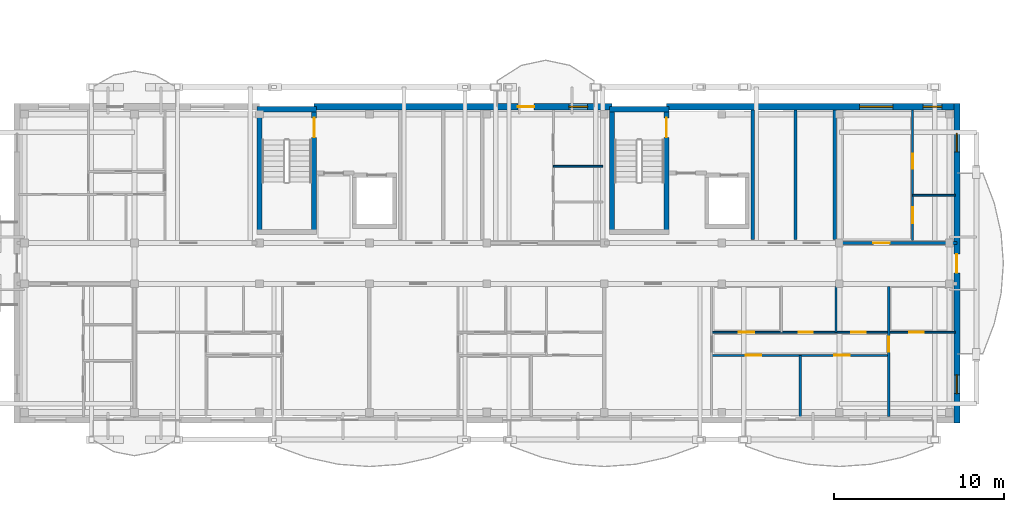
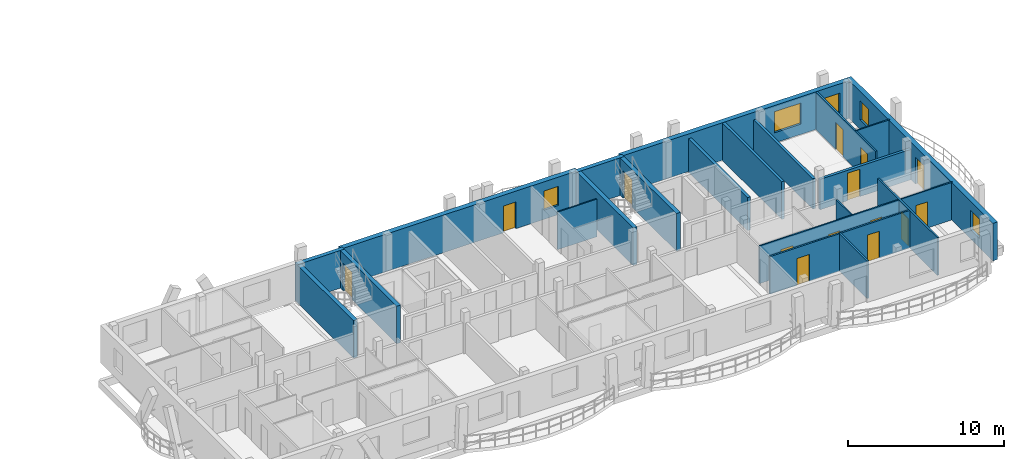
# One storey, part 33 of 52: 21 walls, 14 doors, 5 windows, 19 openings.
"""IFC4 building model written with IfcOpenShell, lengths in metres."""

from ifc_helpers import new_model, si_unit, direction, frame, frame_2d, origin, origin_with_axes, place, context, subcontext, project, spatial, rectangle, extrude, material, layer, layer_set, type_object, element, fill, save


model = new_model("IFC4")

# Units and contexts
model_context = context("Model", 3, precision=1e-05, world=origin(), true_north=direction((0.0, 1.0)))
body_context = subcontext(model_context, "Body", "Model", "MODEL_VIEW")
ifc_project = project(units=[si_unit("LENGTHUNIT", "METRE"), si_unit("AREAUNIT", "SQUARE_METRE"), si_unit("VOLUMEUNIT", "CUBIC_METRE"), si_unit("PLANEANGLEUNIT", "RADIAN"), si_unit("MASSUNIT", "GRAM", prefix="KILO")], contexts=[model_context])

# Site, building, storey
site_placement = place(None, origin())
site = spatial("IfcSite", under=ifc_project, at=site_placement, CompositionType="ELEMENT")
building_placement = place(site_placement, origin())
building = spatial("IfcBuilding", under=site, at=building_placement, Name="Zavelmont Quarter", CompositionType="ELEMENT")
storey_placement = place(building_placement, frame((0.0, 0.0, 14.39990234375)))
storey = spatial("IfcBuildingStorey", under=building, at=storey_placement, Name="L04", CompositionType="ELEMENT", Elevation=14.39990234375)

# Wall, openings, door, window
ifc_material_1 = material(Name="Natural Belgian limestone", Category="masonry")
ifc_layer_1 = layer(ifc_material_1, 0.360107421875)
ifc_layer_set_1 = layer_set([ifc_layer_1], Name="Natural Belgian limestone")
wall_type_1 = type_object("IfcWallType", Name="EW02", PredefinedType="STANDARD", material=ifc_layer_set_1)
wall_1_placement = place(storey_placement, frame((130.25, 18.39990234375, 0.0), z_axis=(0.0, 0.0, 1.0), x_axis=(1.0, 0.0, 0.0)))
wall_1 = element("IfcWall", 1, at=wall_1_placement, inside=storey, type_object=wall_type_1, Name="L04 exterior limestone wall EW02", PredefinedType="STANDARD", context=body_context, shape_type="SweptSolid", body=[
    extrude(rectangle(XDim=17.5, YDim=0.360107421875, at=frame_2d((8.75, 0.0))), origin(), (0.0, 0.0, 1.0), 2.940185546875),
])
opening_1_placement = place(wall_1_placement, frame((11.969970703125, 0.0, 0.0)))
opening_1 = element("IfcOpeningElement", 2, at=opening_1_placement, cuts=wall_1, Name="Opening DR04", PredefinedType="OPENING", context=body_context, shape_type="SweptSolid", body=[
    extrude(rectangle(XDim=0.949951171875, YDim=2.10009765625, at=frame_2d((0.47509765625, 1.050048828125))), frame((0.0, 0.19189453125, 0.0), z_axis=(0.0, -1.0, 0.0), x_axis=(1.0, 0.0, 0.0)), (0.0, 0.0, 1.0), 0.384033203125),
])
opening_2_placement = place(wall_1_placement, frame((14.969970703125, 0.0, 0.719970703125)))
opening_2 = element("IfcOpeningElement", 3, at=opening_2_placement, cuts=wall_1, Name="Opening WN09", PredefinedType="OPENING", context=body_context, shape_type="SweptSolid", body=[
    extrude(rectangle(XDim=1.10009765625, YDim=1.5, at=frame_2d((0.550048828125, 0.75))), frame((0.0, 0.19189453125, 0.0), z_axis=(0.0, -1.0, 0.0), x_axis=(1.0, 0.0, 0.0)), (0.0, 0.0, 1.0), 0.384033203125),
])
ifc_material_2 = material(Name="Thermally broken aluminium and double safety glass", Category="aluminium")
door_type_1 = type_object("IfcDoorType", Name="DR04", OperationType="NOTDEFINED", PredefinedType="DOOR", material=ifc_material_2)
door_1_placement = place(opening_1_placement, frame((0.949951171875, 0.0, 0.0), z_axis=(0.0, 0.0, 1.0), x_axis=(-1.0, 0.0, 0.0)))
door_1 = element("IfcDoor", 4, at=door_1_placement, inside=storey, type_object=door_type_1, Name="Block D L04 glazed balcony door", OperationType="SINGLE_SWING_LEFT", OverallHeight=2.10009765625, OverallWidth=0.949951171875, PredefinedType="DOOR", context=body_context, shape_type="SweptSolid", body=[
    extrude(rectangle(XDim=0.949951171875, YDim=2.10009765625, at=frame_2d((0.47509765625, 1.050048828125))), frame((0.0, 0.02490234375, 0.0), z_axis=(0.0, -1.0, 0.0), x_axis=(1.0, 0.0, 0.0)), (0.0, 0.0, 1.0), 0.050048828125),
])
fill(opening_1, door_1)
ifc_material_3 = material(Name="Double low-E insulated glazing in thermally broken aluminium frame", Category="aluminium")
window_type_1 = type_object("IfcWindowType", Name="WN09", PartitioningType="SINGLE_PANEL", PredefinedType="WINDOW", material=ifc_material_3)
window_1_placement = place(opening_2_placement, origin_with_axes())
window_1 = element("IfcWindow", 5, at=window_1_placement, inside=storey, type_object=window_type_1, Name="L04 window WN09", OverallHeight=1.5, OverallWidth=1.10009765625, PartitioningType="SINGLE_PANEL", PredefinedType="WINDOW", context=body_context, shape_type="SweptSolid", body=[
    extrude(rectangle(XDim=1.10009765625, YDim=1.5, at=frame_2d((0.550048828125, 0.75))), frame((0.0, 0.030029296875, 0.0), z_axis=(0.0, -1.0, 0.0), x_axis=(1.0, 0.0, 0.0)), (0.0, 0.0, 1.0), 0.06005859375),
])
fill(opening_2, window_1)

# Wall, openings, windows
wall_2_placement = place(storey_placement, frame((150.949951171875, 18.39990234375, 0.0), z_axis=(0.0, 0.0, 1.0), x_axis=(1.0, 0.0, 0.0)))
wall_2 = element("IfcWall", 6, at=wall_2_placement, inside=storey, type_object=wall_type_1, Name="L04 exterior limestone wall EW02", PredefinedType="STANDARD", context=body_context, shape_type="SweptSolid", body=[
    extrude(rectangle(XDim=16.880126953125, YDim=0.360107421875, at=frame_2d((8.43994140625, 0.0))), origin(), (0.0, 0.0, 1.0), 2.940185546875),
])
opening_3_placement = place(wall_2_placement, frame((11.344970703125, 0.0, 0.800048828125)))
opening_3 = element("IfcOpeningElement", 7, at=opening_3_placement, cuts=wall_2, Name="Opening WN24", PredefinedType="OPENING", context=body_context, shape_type="SweptSolid", body=[
    extrude(rectangle(XDim=1.949951171875, YDim=1.64990234375, at=frame_2d((0.97509765625, 0.824951171875))), frame((0.0, 0.19189453125, 0.0), z_axis=(0.0, -1.0, 0.0), x_axis=(1.0, 0.0, 0.0)), (0.0, 0.0, 1.0), 0.384033203125),
])
opening_4_placement = place(wall_2_placement, frame((15.070068359375, 0.0, 0.719970703125)))
opening_4 = element("IfcOpeningElement", 8, at=opening_4_placement, cuts=wall_2, Name="Opening WN09", PredefinedType="OPENING", context=body_context, shape_type="SweptSolid", body=[
    extrude(rectangle(XDim=1.10009765625, YDim=1.5, at=frame_2d((0.550048828125, 0.75))), frame((0.0, 0.19189453125, 0.0), z_axis=(0.0, -1.0, 0.0), x_axis=(1.0, 0.0, 0.0)), (0.0, 0.0, 1.0), 0.384033203125),
])
window_2_placement = place(opening_4_placement, origin_with_axes())
window_2 = element("IfcWindow", 9, at=window_2_placement, inside=storey, type_object=window_type_1, Name="L04 window WN09", OverallHeight=1.5, OverallWidth=1.10009765625, PartitioningType="SINGLE_PANEL", PredefinedType="WINDOW", context=body_context, shape_type="SweptSolid", body=[
    extrude(rectangle(XDim=1.10009765625, YDim=1.5, at=frame_2d((0.550048828125, 0.75))), frame((0.0, 0.030029296875, 0.0), z_axis=(0.0, -1.0, 0.0), x_axis=(1.0, 0.0, 0.0)), (0.0, 0.0, 1.0), 0.06005859375),
])
fill(opening_4, window_2)
window_type_2 = type_object("IfcWindowType", Name="WN24", PartitioningType="SINGLE_PANEL", PredefinedType="WINDOW", material=ifc_material_3)
window_3_placement = place(opening_3_placement, origin_with_axes())
window_3 = element("IfcWindow", 10, at=window_3_placement, inside=storey, type_object=window_type_2, Name="L04 window WN24", OverallHeight=1.64990234375, OverallWidth=1.949951171875, PartitioningType="SINGLE_PANEL", PredefinedType="WINDOW", context=body_context, shape_type="SweptSolid", body=[
    extrude(rectangle(XDim=1.949951171875, YDim=1.64990234375, at=frame_2d((0.97509765625, 0.824951171875))), frame((0.0, 0.030029296875, 0.0), z_axis=(0.0, -1.0, 0.0), x_axis=(1.0, 0.0, 0.0)), (0.0, 0.0, 1.0), 0.06005859375),
])
fill(opening_3, window_3)

# Wall, openings, door, windows
wall_3_placement = place(storey_placement, frame((168.0, -0.179931640625, 0.0), z_axis=(0.0, 0.0, 1.0), x_axis=(0.0, 1.0, 0.0)))
wall_3 = element("IfcWall", 11, at=wall_3_placement, inside=storey, type_object=wall_type_1, Name="L04 exterior limestone wall EW02", PredefinedType="STANDARD", context=body_context, shape_type="SweptSolid", body=[
    extrude(rectangle(XDim=18.760009765625, YDim=0.360107421875, at=frame_2d((9.3798828125, 0.0))), origin(), (0.0, 0.0, 1.0), 2.940185546875),
])
opening_5_placement = place(wall_3_placement, frame((8.830078125, 0.0, 0.0)))
opening_5 = element("IfcOpeningElement", 12, at=opening_5_placement, cuts=wall_3, Name="Opening DR04B", PredefinedType="OPENING", context=body_context, shape_type="SweptSolid", body=[
    extrude(rectangle(XDim=1.10009765625, YDim=2.10009765625, at=frame_2d((0.550048828125, 1.050048828125))), frame((0.0, 0.19189453125, 0.0), z_axis=(0.0, -1.0, 0.0), x_axis=(1.0, 0.0, 0.0)), (0.0, 0.0, 1.0), 0.384033203125),
])
opening_6_placement = place(wall_3_placement, frame((1.72998046875, 0.0, 0.719970703125)))
opening_6 = element("IfcOpeningElement", 13, at=opening_6_placement, cuts=wall_3, Name="Opening WN09", PredefinedType="OPENING", context=body_context, shape_type="SweptSolid", body=[
    extrude(rectangle(XDim=1.10009765625, YDim=1.5, at=frame_2d((0.550048828125, 0.75))), frame((0.0, 0.19189453125, 0.0), z_axis=(0.0, -1.0, 0.0), x_axis=(1.0, 0.0, 0.0)), (0.0, 0.0, 1.0), 0.384033203125),
])
opening_7_placement = place(wall_3_placement, frame((15.929931640625, 0.0, 0.719970703125)))
opening_7 = element("IfcOpeningElement", 14, at=opening_7_placement, cuts=wall_3, Name="Opening WN09", PredefinedType="OPENING", context=body_context, shape_type="SweptSolid", body=[
    extrude(rectangle(XDim=1.10009765625, YDim=1.5, at=frame_2d((0.550048828125, 0.75))), frame((0.0, 0.19189453125, 0.0), z_axis=(0.0, -1.0, 0.0), x_axis=(1.0, 0.0, 0.0)), (0.0, 0.0, 1.0), 0.384033203125),
])
door_type_2 = type_object("IfcDoorType", Name="DR04B", OperationType="NOTDEFINED", PredefinedType="DOOR", material=ifc_material_2)
door_2_placement = place(opening_5_placement, origin_with_axes())
door_2 = element("IfcDoor", 15, at=door_2_placement, inside=storey, type_object=door_type_2, Name="Block D L04 terrace or vase balcony door", OperationType="SINGLE_SWING_RIGHT", OverallHeight=2.10009765625, OverallWidth=1.10009765625, PredefinedType="DOOR", context=body_context, shape_type="SweptSolid", body=[
    extrude(rectangle(XDim=1.10009765625, YDim=2.10009765625, at=frame_2d((0.550048828125, 1.050048828125))), frame((0.0, 0.02490234375, 0.0), z_axis=(0.0, -1.0, 0.0), x_axis=(1.0, 0.0, 0.0)), (0.0, 0.0, 1.0), 0.050048828125),
])
fill(opening_5, door_2)
window_4_placement = place(opening_6_placement, origin_with_axes())
window_4 = element("IfcWindow", 16, at=window_4_placement, inside=storey, type_object=window_type_1, Name="L04 window WN09", OverallHeight=1.5, OverallWidth=1.10009765625, PartitioningType="SINGLE_PANEL", PredefinedType="WINDOW", context=body_context, shape_type="SweptSolid", body=[
    extrude(rectangle(XDim=1.10009765625, YDim=1.5, at=frame_2d((0.550048828125, 0.75))), frame((0.0, 0.030029296875, 0.0), z_axis=(0.0, -1.0, 0.0), x_axis=(1.0, 0.0, 0.0)), (0.0, 0.0, 1.0), 0.06005859375),
])
fill(opening_6, window_4)
window_5_placement = place(opening_7_placement, origin_with_axes())
window_5 = element("IfcWindow", 17, at=window_5_placement, inside=storey, type_object=window_type_1, Name="L04 window WN09", OverallHeight=1.5, OverallWidth=1.10009765625, PartitioningType="SINGLE_PANEL", PredefinedType="WINDOW", context=body_context, shape_type="SweptSolid", body=[
    extrude(rectangle(XDim=1.10009765625, YDim=1.5, at=frame_2d((0.550048828125, 0.75))), frame((0.0, 0.030029296875, 0.0), z_axis=(0.0, -1.0, 0.0), x_axis=(1.0, 0.0, 0.0)), (0.0, 0.0, 1.0), 0.06005859375),
])
fill(opening_7, window_5)

# Walls
ifc_material_4 = material(Name="Calcium-silicate blockwork and acoustic plaster", Category="masonry")
ifc_layer_2 = layer(ifc_material_4, 0.199951171875)
ifc_layer_set_2 = layer_set([ifc_layer_2], Name="Calcium-silicate blockwork and acoustic plaster")
wall_type_2 = type_object("IfcWallType", Name="IW01", PredefinedType="PARTITIONING", material=ifc_layer_set_2)
wall_4_placement = place(storey_placement, frame((158.52490234375, 10.60009765625, 0.0), z_axis=(0.0, 0.0, 1.0), x_axis=(0.0, 1.0, 0.0)))
element("IfcWall", 18, at=wall_4_placement, inside=storey, type_object=wall_type_2, Name="L04 Service riser divider wall IW01", PredefinedType="PARTITIONING", context=body_context, shape_type="SweptSolid", body=[
    extrude(rectangle(XDim=7.599853515625, YDim=0.199951171875, at=frame_2d((3.7998046875, 0.0))), origin(), (0.0, 0.0, 1.0), 2.940185546875),
])
wall_5_placement = place(storey_placement, frame((160.820068359375, 10.60009765625, 0.0), z_axis=(0.0, 0.0, 1.0), x_axis=(0.0, 1.0, 0.0)))
element("IfcWall", 19, at=wall_5_placement, inside=storey, type_object=wall_type_2, Name="L04 Core service end wall IW01", PredefinedType="PARTITIONING", context=body_context, shape_type="SweptSolid", body=[
    extrude(rectangle(XDim=7.599853515625, YDim=0.199951171875, at=frame_2d((3.7998046875, 0.0))), origin(), (0.0, 0.0, 1.0), 2.380126953125),
])

# Wall, opening, door
wall_6_placement = place(storey_placement, frame((161.10009765625, 10.39990234375, 0.0), z_axis=(0.0, 0.0, 1.0), x_axis=(1.0, 0.0, 0.0)))
wall_6 = element("IfcWall", 20, at=wall_6_placement, inside=storey, type_object=wall_type_2, Name="L04 Corridor compartment wall IW01", PredefinedType="PARTITIONING", context=body_context, shape_type="SweptSolid", body=[
    extrude(rectangle(XDim=6.89990234375, YDim=0.199951171875, at=frame_2d((3.449951171875, 0.0))), origin(), (0.0, 0.0, 1.0), 2.380126953125),
])
opening_8_placement = place(wall_6_placement, frame((2.0, 0.0, 0.0)))
opening_8 = element("IfcOpeningElement", 21, at=opening_8_placement, cuts=wall_6, Name="Opening DR02", PredefinedType="OPENING", context=body_context, shape_type="SweptSolid", body=[
    extrude(rectangle(XDim=0.949951171875, YDim=2.14990234375, at=frame_2d((0.47509765625, 1.074951171875))), frame((0.0, 0.11181640625, 0.0), z_axis=(0.0, -1.0, 0.0), x_axis=(1.0, 0.0, 0.0)), (0.0, 0.0, 1.0), 0.223876953125),
])
ifc_material_5 = material(Name="Solid-core oak fire leaf in steel frame", Category="steel")
door_type_3 = type_object("IfcDoorType", Name="DR02", OperationType="NOTDEFINED", PredefinedType="DOOR", material=ifc_material_5)
door_3_placement = place(opening_8_placement, origin_with_axes())
door_3 = element("IfcDoor", 22, at=door_3_placement, inside=storey, type_object=door_type_3, Name="L04 door DR02", OperationType="SINGLE_SWING_LEFT", OverallHeight=2.14990234375, OverallWidth=0.949951171875, PredefinedType="DOOR", context=body_context, shape_type="SweptSolid", body=[
    extrude(rectangle(XDim=0.949951171875, YDim=2.14990234375, at=frame_2d((0.47509765625, 1.074951171875))), frame((0.0, 0.02490234375, 0.0), z_axis=(0.0, -1.0, 0.0), x_axis=(1.0, 0.0, 0.0)), (0.0, 0.0, 1.0), 0.050048828125),
])
fill(opening_8, door_3)

# Walls
ifc_material_6 = material(Name="Reinforced masonry fire compartment wall", Category="masonry")
ifc_layer_3 = layer(ifc_material_6, 0.22509765625)
ifc_layer_set_3 = layer_set([ifc_layer_3], Name="Reinforced masonry fire compartment wall")
wall_type_3 = type_object("IfcWallType", Name="IW02", PredefinedType="PARTITIONING", material=ifc_layer_set_3)
wall_7_placement = place(storey_placement, frame((156.010009765625, 10.60009765625, 0.0), z_axis=(0.0, 0.0, 1.0), x_axis=(0.0, 1.0, 0.0)))
element("IfcWall", 23, at=wall_7_placement, inside=storey, type_object=wall_type_3, Name="L04 Firefighting lobby enclosure wall IW02", PredefinedType="PARTITIONING", context=body_context, shape_type="SweptSolid", body=[
    extrude(rectangle(XDim=7.599853515625, YDim=0.22509765625, at=frame_2d((3.7998046875, 0.0))), origin(), (0.0, 0.0, 1.0), 2.590087890625),
])
ifc_material_7 = material(Name="Double gypsum board on acoustic steel stud", Category="steel")
ifc_layer_4 = layer(ifc_material_7, 0.125)
ifc_layer_set_4 = layer_set([ifc_layer_4], Name="Double gypsum board on acoustic steel stud")
wall_type_4 = type_object("IfcWallType", Name="IW03", PredefinedType="PARTITIONING", material=ifc_layer_set_4)
wall_8_placement = place(storey_placement, frame((158.800048828125, 3.800048828125, 0.0), z_axis=(0.0, 0.0, 1.0), x_axis=(0.0, -1.0, 0.0)))
element("IfcWall", 24, at=wall_8_placement, inside=storey, type_object=wall_type_4, Name="L04 Partition IW03", PredefinedType="PARTITIONING", context=body_context, shape_type="SweptSolid", body=[
    extrude(rectangle(XDim=3.60009765625, YDim=0.125, at=frame_2d((1.800048828125, 0.0))), origin(), (0.0, 0.0, 1.0), 2.940185546875),
])

# Wall, opening, door
wall_9_placement = place(storey_placement, frame((164.0, 7.85009765625, 0.0), z_axis=(0.0, 0.0, 1.0), x_axis=(0.0, -1.0, 0.0)))
wall_9 = element("IfcWall", 25, at=wall_9_placement, inside=storey, type_object=wall_type_4, Name="L04 Partition IW03", PredefinedType="PARTITIONING", context=body_context, shape_type="SweptSolid", body=[
    extrude(rectangle(XDim=7.650146484375, YDim=0.125, at=frame_2d((3.8251953125, 0.0))), origin(), (0.0, 0.0, 1.0), 2.940185546875),
])
opening_9_placement = place(wall_9_placement, frame((2.949951171875, 0.0, 0.0)))
opening_9 = element("IfcOpeningElement", 26, at=opening_9_placement, cuts=wall_9, Name="Opening DR05", PredefinedType="OPENING", context=body_context, shape_type="SweptSolid", body=[
    extrude(rectangle(XDim=0.89990234375, YDim=2.10009765625, at=frame_2d((0.449951171875, 1.050048828125))), frame((0.0, 0.074462890625, 0.0), z_axis=(0.0, -1.0, 0.0), x_axis=(1.0, 0.0, 0.0)), (0.0, 0.0, 1.0), 0.14892578125),
])
ifc_material_8 = material(Name="Engineered oak flush interior door")
door_type_4 = type_object("IfcDoorType", Name="DR05", OperationType="NOTDEFINED", PredefinedType="DOOR", material=ifc_material_8)
door_4_placement = place(opening_9_placement, origin_with_axes())
door_4 = element("IfcDoor", 27, at=door_4_placement, inside=storey, type_object=door_type_4, Name="L04 door DR05", OperationType="SINGLE_SWING_LEFT", OverallHeight=2.10009765625, OverallWidth=0.89990234375, PredefinedType="DOOR", context=body_context, shape_type="SweptSolid", body=[
    extrude(rectangle(XDim=0.89990234375, YDim=2.10009765625, at=frame_2d((0.449951171875, 1.050048828125))), frame((0.0, 0.02490234375, 0.0), z_axis=(0.0, -1.0, 0.0), x_axis=(1.0, 0.0, 0.0)), (0.0, 0.0, 1.0), 0.050048828125),
])
fill(opening_9, door_4)

# Wall, openings, doors
wall_10_placement = place(storey_placement, frame((153.60009765625, 3.800048828125, 0.0), z_axis=(0.0, 0.0, 1.0), x_axis=(1.0, 0.0, 0.0)))
wall_10 = element("IfcWall", 28, at=wall_10_placement, inside=storey, type_object=wall_type_4, Name="L04 Partition IW03", PredefinedType="PARTITIONING", context=body_context, shape_type="SweptSolid", body=[
    extrude(rectangle(XDim=10.39990234375, YDim=0.125, at=frame_2d((5.199951171875, 0.0))), origin(), (0.0, 0.0, 1.0), 2.940185546875),
])
opening_10_placement = place(wall_10_placement, frame((2.0, 0.0, 0.0)))
opening_10 = element("IfcOpeningElement", 29, at=opening_10_placement, cuts=wall_10, Name="Opening DR05", PredefinedType="OPENING", context=body_context, shape_type="SweptSolid", body=[
    extrude(rectangle(XDim=0.89990234375, YDim=2.10009765625, at=frame_2d((0.449951171875, 1.050048828125))), frame((0.0, 0.074462890625, 0.0), z_axis=(0.0, -1.0, 0.0), x_axis=(1.0, 0.0, 0.0)), (0.0, 0.0, 1.0), 0.14892578125),
])
opening_11_placement = place(wall_10_placement, frame((7.199951171875, 0.0, 0.0)))
opening_11 = element("IfcOpeningElement", 30, at=opening_11_placement, cuts=wall_10, Name="Opening DR05", PredefinedType="OPENING", context=body_context, shape_type="SweptSolid", body=[
    extrude(rectangle(XDim=0.89990234375, YDim=2.10009765625, at=frame_2d((0.449951171875, 1.050048828125))), frame((0.0, 0.074462890625, 0.0), z_axis=(0.0, -1.0, 0.0), x_axis=(1.0, 0.0, 0.0)), (0.0, 0.0, 1.0), 0.14892578125),
])
door_5_placement = place(opening_10_placement, frame((0.89990234375, 0.0, 0.0), z_axis=(0.0, 0.0, 1.0), x_axis=(-1.0, 0.0, 0.0)))
door_5 = element("IfcDoor", 31, at=door_5_placement, inside=storey, type_object=door_type_4, Name="L04 door DR05", OperationType="SINGLE_SWING_RIGHT", OverallHeight=2.10009765625, OverallWidth=0.89990234375, PredefinedType="DOOR", context=body_context, shape_type="SweptSolid", body=[
    extrude(rectangle(XDim=0.89990234375, YDim=2.10009765625, at=frame_2d((0.449951171875, 1.050048828125))), frame((0.0, 0.02490234375, 0.0), z_axis=(0.0, -1.0, 0.0), x_axis=(1.0, 0.0, 0.0)), (0.0, 0.0, 1.0), 0.050048828125),
])
fill(opening_10, door_5)
door_6_placement = place(opening_11_placement, origin_with_axes())
door_6 = element("IfcDoor", 32, at=door_6_placement, inside=storey, type_object=door_type_4, Name="L04 door DR05", OperationType="SINGLE_SWING_LEFT", OverallHeight=2.10009765625, OverallWidth=0.89990234375, PredefinedType="DOOR", context=body_context, shape_type="SweptSolid", body=[
    extrude(rectangle(XDim=0.89990234375, YDim=2.10009765625, at=frame_2d((0.449951171875, 1.050048828125))), frame((0.0, 0.02490234375, 0.0), z_axis=(0.0, -1.0, 0.0), x_axis=(1.0, 0.0, 0.0)), (0.0, 0.0, 1.0), 0.050048828125),
])
fill(opening_11, door_6)

wall_11_placement = place(storey_placement, frame((165.39990234375, 10.550048828125, 0.0), z_axis=(0.0, 0.0, 1.0), x_axis=(0.0, 1.0, 0.0)))
wall_11 = element("IfcWall", 33, at=wall_11_placement, inside=storey, type_object=wall_type_4, Name="L04 Partition IW03", PredefinedType="PARTITIONING", context=body_context, shape_type="SweptSolid", body=[
    extrude(rectangle(XDim=7.64990234375, YDim=0.125, at=frame_2d((3.824951171875, 0.0))), origin(), (0.0, 0.0, 1.0), 2.940185546875),
])
opening_12_placement = place(wall_11_placement, frame((1.0, 0.0, 0.0)))
opening_12 = element("IfcOpeningElement", 34, at=opening_12_placement, cuts=wall_11, Name="Opening DR17", PredefinedType="OPENING", context=body_context, shape_type="SweptSolid", body=[
    extrude(rectangle(XDim=0.949951171875, YDim=2.10009765625, at=frame_2d((0.47509765625, 1.050048828125))), frame((0.0, 0.074462890625, 0.0), z_axis=(0.0, -1.0, 0.0), x_axis=(1.0, 0.0, 0.0)), (0.0, 0.0, 1.0), 0.14892578125),
])
opening_13_placement = place(wall_11_placement, frame((4.199951171875, 0.0, 0.0)))
opening_13 = element("IfcOpeningElement", 35, at=opening_13_placement, cuts=wall_11, Name="Opening DR05", PredefinedType="OPENING", context=body_context, shape_type="SweptSolid", body=[
    extrude(rectangle(XDim=0.89990234375, YDim=2.10009765625, at=frame_2d((0.449951171875, 1.050048828125))), frame((0.0, 0.074462890625, 0.0), z_axis=(0.0, -1.0, 0.0), x_axis=(1.0, 0.0, 0.0)), (0.0, 0.0, 1.0), 0.14892578125),
])
door_7_placement = place(opening_13_placement, origin_with_axes())
door_7 = element("IfcDoor", 36, at=door_7_placement, inside=storey, type_object=door_type_4, Name="L04 door DR05", OperationType="SINGLE_SWING_RIGHT", OverallHeight=2.10009765625, OverallWidth=0.89990234375, PredefinedType="DOOR", context=body_context, shape_type="SweptSolid", body=[
    extrude(rectangle(XDim=0.89990234375, YDim=2.10009765625, at=frame_2d((0.449951171875, 1.050048828125))), frame((0.0, 0.02490234375, 0.0), z_axis=(0.0, -1.0, 0.0), x_axis=(1.0, 0.0, 0.0)), (0.0, 0.0, 1.0), 0.050048828125),
])
fill(opening_13, door_7)
ifc_material_9 = material(Name="Accessible washroom flush door")
door_type_5 = type_object("IfcDoorType", Name="DR17", OperationType="NOTDEFINED", PredefinedType="DOOR", material=ifc_material_9)
door_8_placement = place(opening_12_placement, frame((0.949951171875, 0.0, 0.0), z_axis=(0.0, 0.0, 1.0), x_axis=(-1.0, 0.0, 0.0)))
door_8 = element("IfcDoor", 37, at=door_8_placement, inside=storey, type_object=door_type_5, Name="L04 door DR17", OperationType="SINGLE_SWING_LEFT", OverallHeight=2.10009765625, OverallWidth=0.949951171875, PredefinedType="DOOR", context=body_context, shape_type="SweptSolid", body=[
    extrude(rectangle(XDim=0.949951171875, YDim=2.10009765625, at=frame_2d((0.47509765625, 1.050048828125))), frame((0.0, 0.02490234375, 0.0), z_axis=(0.0, -1.0, 0.0), x_axis=(1.0, 0.0, 0.0)), (0.0, 0.0, 1.0), 0.050048828125),
])
fill(opening_12, door_8)

# Wall
ifc_material_10 = material(Name="Moisture-resistant gypsum board on steel stud", Category="steel")
ifc_layer_5 = layer(ifc_material_10, 0.10009765625)
ifc_layer_set_5 = layer_set([ifc_layer_5], Name="Moisture-resistant gypsum board on steel stud")
wall_type_5 = type_object("IfcWallType", Name="IW04", PredefinedType="PARTITIONING", material=ifc_layer_set_5)
wall_12_placement = place(storey_placement, frame((160.89990234375, 7.85009765625, 0.0), z_axis=(0.0, 0.0, 1.0), x_axis=(0.0, -1.0, 0.0)))
element("IfcWall", 38, at=wall_12_placement, inside=storey, type_object=wall_type_5, Name="L04 Partition IW04", PredefinedType="PARTITIONING", context=body_context, shape_type="SweptSolid", body=[
    extrude(rectangle(XDim=2.7001953125, YDim=0.10009765625, at=frame_2d((1.35009765625, 0.0))), origin(), (0.0, 0.0, 1.0), 2.380126953125),
])

# Wall, openings, doors
wall_13_placement = place(storey_placement, frame((153.60009765625, 5.14990234375, 0.0), z_axis=(0.0, 0.0, 1.0), x_axis=(1.0, 0.0, 0.0)))
wall_13 = element("IfcWall", 39, at=wall_13_placement, inside=storey, type_object=wall_type_5, Name="L04 Partition IW04", PredefinedType="PARTITIONING", context=body_context, shape_type="SweptSolid", body=[
    extrude(rectangle(XDim=14.2998046875, YDim=0.10009765625, at=frame_2d((7.14990234375, 0.0))), origin(), (0.0, 0.0, 1.0), 2.940185546875),
])
opening_14_placement = place(wall_13_placement, frame((1.60009765625, 0.0, 0.0)))
opening_14 = element("IfcOpeningElement", 40, at=opening_14_placement, cuts=wall_13, Name="Opening DR05", PredefinedType="OPENING", context=body_context, shape_type="SweptSolid", body=[
    extrude(rectangle(XDim=0.89990234375, YDim=2.10009765625, at=frame_2d((0.449951171875, 1.050048828125))), frame((0.0, 0.06201171875, 0.0), z_axis=(0.0, -1.0, 0.0), x_axis=(1.0, 0.0, 0.0)), (0.0, 0.0, 1.0), 0.1240234375),
])
opening_15_placement = place(wall_13_placement, frame((5.10009765625, 0.0, 0.0)))
opening_15 = element("IfcOpeningElement", 41, at=opening_15_placement, cuts=wall_13, Name="Opening DR06", PredefinedType="OPENING", context=body_context, shape_type="SweptSolid", body=[
    extrude(rectangle(XDim=0.85009765625, YDim=2.050048828125, at=frame_2d((0.425048828125, 1.02490234375))), frame((0.0, 0.06201171875, 0.0), z_axis=(0.0, -1.0, 0.0), x_axis=(1.0, 0.0, 0.0)), (0.0, 0.0, 1.0), 0.1240234375),
])
opening_16_placement = place(wall_13_placement, frame((8.199951171875, 0.0, 0.0)))
opening_16 = element("IfcOpeningElement", 42, at=opening_16_placement, cuts=wall_13, Name="Opening DR06", PredefinedType="OPENING", context=body_context, shape_type="SweptSolid", body=[
    extrude(rectangle(XDim=0.85009765625, YDim=2.050048828125, at=frame_2d((0.425048828125, 1.02490234375))), frame((0.0, 0.06201171875, 0.0), z_axis=(0.0, -1.0, 0.0), x_axis=(1.0, 0.0, 0.0)), (0.0, 0.0, 1.0), 0.1240234375),
])
opening_17_placement = place(wall_13_placement, frame((11.60009765625, 0.0, 0.0)))
opening_17 = element("IfcOpeningElement", 43, at=opening_17_placement, cuts=wall_13, Name="Opening DR06", PredefinedType="OPENING", context=body_context, shape_type="SweptSolid", body=[
    extrude(rectangle(XDim=0.85009765625, YDim=2.050048828125, at=frame_2d((0.425048828125, 1.02490234375))), frame((0.0, 0.06201171875, 0.0), z_axis=(0.0, -1.0, 0.0), x_axis=(1.0, 0.0, 0.0)), (0.0, 0.0, 1.0), 0.1240234375),
])
door_9_placement = place(opening_14_placement, frame((0.89990234375, 0.0, 0.0), z_axis=(0.0, 0.0, 1.0), x_axis=(-1.0, 0.0, 0.0)))
door_9 = element("IfcDoor", 44, at=door_9_placement, inside=storey, type_object=door_type_4, Name="L04 door DR05", OperationType="SINGLE_SWING_RIGHT", OverallHeight=2.10009765625, OverallWidth=0.89990234375, PredefinedType="DOOR", context=body_context, shape_type="SweptSolid", body=[
    extrude(rectangle(XDim=0.89990234375, YDim=2.10009765625, at=frame_2d((0.449951171875, 1.050048828125))), frame((0.0, 0.02490234375, 0.0), z_axis=(0.0, -1.0, 0.0), x_axis=(1.0, 0.0, 0.0)), (0.0, 0.0, 1.0), 0.050048828125),
])
fill(opening_14, door_9)
ifc_material_11 = material(Name="Moisture-resistant painted wet-room door")
door_type_6 = type_object("IfcDoorType", Name="DR06", OperationType="NOTDEFINED", PredefinedType="DOOR", material=ifc_material_11)
door_10_placement = place(opening_15_placement, origin_with_axes())
door_10 = element("IfcDoor", 45, at=door_10_placement, inside=storey, type_object=door_type_6, Name="L04 door DR06", OperationType="SINGLE_SWING_LEFT", OverallHeight=2.050048828125, OverallWidth=0.85009765625, PredefinedType="DOOR", context=body_context, shape_type="SweptSolid", body=[
    extrude(rectangle(XDim=0.85009765625, YDim=2.050048828125, at=frame_2d((0.425048828125, 1.02490234375))), frame((0.0, 0.02490234375, 0.0), z_axis=(0.0, -1.0, 0.0), x_axis=(1.0, 0.0, 0.0)), (0.0, 0.0, 1.0), 0.050048828125),
])
fill(opening_15, door_10)
door_11_placement = place(opening_16_placement, frame((0.85009765625, 0.0, 0.0), z_axis=(0.0, 0.0, 1.0), x_axis=(-1.0, 0.0, 0.0)))
door_11 = element("IfcDoor", 46, at=door_11_placement, inside=storey, type_object=door_type_6, Name="L04 door DR06", OperationType="SINGLE_SWING_RIGHT", OverallHeight=2.050048828125, OverallWidth=0.85009765625, PredefinedType="DOOR", context=body_context, shape_type="SweptSolid", body=[
    extrude(rectangle(XDim=0.85009765625, YDim=2.050048828125, at=frame_2d((0.425048828125, 1.02490234375))), frame((0.0, 0.02490234375, 0.0), z_axis=(0.0, -1.0, 0.0), x_axis=(1.0, 0.0, 0.0)), (0.0, 0.0, 1.0), 0.050048828125),
])
fill(opening_16, door_11)
door_12_placement = place(opening_17_placement, origin_with_axes())
door_12 = element("IfcDoor", 47, at=door_12_placement, inside=storey, type_object=door_type_6, Name="L04 door DR06", OperationType="SINGLE_SWING_LEFT", OverallHeight=2.050048828125, OverallWidth=0.85009765625, PredefinedType="DOOR", context=body_context, shape_type="SweptSolid", body=[
    extrude(rectangle(XDim=0.85009765625, YDim=2.050048828125, at=frame_2d((0.425048828125, 1.02490234375))), frame((0.0, 0.02490234375, 0.0), z_axis=(0.0, -1.0, 0.0), x_axis=(1.0, 0.0, 0.0)), (0.0, 0.0, 1.0), 0.050048828125),
])
fill(opening_17, door_12)

# Walls
wall_14_placement = place(storey_placement, frame((144.300048828125, 14.89990234375, 0.0), z_axis=(0.0, 0.0, 1.0), x_axis=(1.0, 0.0, 0.0)))
element("IfcWall", 48, at=wall_14_placement, inside=storey, type_object=wall_type_5, Name="L04 Partition IW04", PredefinedType="PARTITIONING", context=body_context, shape_type="SweptSolid", body=[
    extrude(rectangle(XDim=2.89990234375, YDim=0.10009765625, at=frame_2d((1.449951171875, 0.0))), origin(), (0.0, 0.0, 1.0), 2.940185546875),
])
wall_15_placement = place(storey_placement, frame((165.39990234375, 13.199951171875, 0.0), z_axis=(0.0, 0.0, 1.0), x_axis=(1.0, 0.0, 0.0)))
element("IfcWall", 49, at=wall_15_placement, inside=storey, type_object=wall_type_5, Name="L04 Partition IW04", PredefinedType="PARTITIONING", context=body_context, shape_type="SweptSolid", body=[
    extrude(rectangle(XDim=2.5, YDim=0.10009765625, at=frame_2d((1.25, 0.0))), origin(), (0.0, 0.0, 1.0), 2.940185546875),
])
ifc_material_12 = material(Name="Concrete C40/50", Category="concrete")
ifc_layer_6 = layer(ifc_material_12, 0.300048828125)
ifc_layer_set_6 = layer_set([ifc_layer_6], Name="Concrete C40/50")
wall_type_6 = type_object("IfcWallType", Name="SW01", PredefinedType="SHEAR", material=ifc_layer_set_6)
wall_16_placement = place(storey_placement, frame((127.050048828125, 10.89990234375, 0.0), z_axis=(0.0, 0.0, 1.0), x_axis=(0.0, 1.0, 0.0)))
element("IfcWall", 50, at=wall_16_placement, inside=storey, type_object=wall_type_6, Name="L04 ST07 west shear wall SW01", PredefinedType="SHEAR", context=body_context, shape_type="SweptSolid", body=[
    extrude(rectangle(XDim=7.5, YDim=0.300048828125, at=frame_2d((3.75, 0.0))), origin(), (0.0, 0.0, 1.0), 2.940185546875),
])

# Wall, opening, door
wall_17_placement = place(storey_placement, frame((130.25, 10.89990234375, 0.0), z_axis=(0.0, 0.0, 1.0), x_axis=(0.0, 1.0, 0.0)))
wall_17 = element("IfcWall", 51, at=wall_17_placement, inside=storey, type_object=wall_type_6, Name="L04 ST07 lobby shear wall SW01", PredefinedType="SHEAR", context=body_context, shape_type="SweptSolid", body=[
    extrude(rectangle(XDim=7.5, YDim=0.300048828125, at=frame_2d((3.75, 0.0))), origin(), (0.0, 0.0, 1.0), 2.940185546875),
])
opening_18_placement = place(wall_17_placement, frame((5.699951171875, 0.0, 0.0)))
opening_18 = element("IfcOpeningElement", 52, at=opening_18_placement, cuts=wall_17, Name="Opening DR09", PredefinedType="OPENING", context=body_context, shape_type="SweptSolid", body=[
    extrude(rectangle(XDim=1.14990234375, YDim=2.14990234375, at=frame_2d((0.574951171875, 1.074951171875))), frame((0.0, 0.162109375, 0.0), z_axis=(0.0, -1.0, 0.0), x_axis=(1.0, 0.0, 0.0)), (0.0, 0.0, 1.0), 0.323974609375),
])
ifc_material_13 = material(Name="Painted steel stair-core fire door", Category="steel")
door_type_7 = type_object("IfcDoorType", Name="DR09", OperationType="NOTDEFINED", PredefinedType="DOOR", material=ifc_material_13)
door_13_placement = place(opening_18_placement, origin_with_axes())
door_13 = element("IfcDoor", 53, at=door_13_placement, inside=storey, type_object=door_type_7, Name="ST07 protected stair door", OperationType="SINGLE_SWING_LEFT", OverallHeight=2.14990234375, OverallWidth=1.14990234375, PredefinedType="DOOR", context=body_context, shape_type="SweptSolid", body=[
    extrude(rectangle(XDim=1.14990234375, YDim=2.14990234375, at=frame_2d((0.574951171875, 1.074951171875))), frame((0.0, 0.02490234375, 0.0), z_axis=(0.0, -1.0, 0.0), x_axis=(1.0, 0.0, 0.0)), (0.0, 0.0, 1.0), 0.050048828125),
])
fill(opening_18, door_13)

# Wall
wall_18_placement = place(storey_placement, frame((147.75, 10.89990234375, 0.0), z_axis=(0.0, 0.0, 1.0), x_axis=(0.0, 1.0, 0.0)))
element("IfcWall", 54, at=wall_18_placement, inside=storey, type_object=wall_type_6, Name="L04 ST08 west shear wall SW01", PredefinedType="SHEAR", context=body_context, shape_type="SweptSolid", body=[
    extrude(rectangle(XDim=7.5, YDim=0.300048828125, at=frame_2d((3.75, 0.0))), origin(), (0.0, 0.0, 1.0), 2.940185546875),
])

# Wall, opening, door
wall_19_placement = place(storey_placement, frame((150.949951171875, 10.89990234375, 0.0), z_axis=(0.0, 0.0, 1.0), x_axis=(0.0, 1.0, 0.0)))
wall_19 = element("IfcWall", 55, at=wall_19_placement, inside=storey, type_object=wall_type_6, Name="L04 ST08 lobby shear wall SW01", PredefinedType="SHEAR", context=body_context, shape_type="SweptSolid", body=[
    extrude(rectangle(XDim=7.5, YDim=0.300048828125, at=frame_2d((3.75, 0.0))), origin(), (0.0, 0.0, 1.0), 2.940185546875),
])
opening_19_placement = place(wall_19_placement, frame((5.699951171875, 0.0, 0.0)))
opening_19 = element("IfcOpeningElement", 56, at=opening_19_placement, cuts=wall_19, Name="Opening DR09", PredefinedType="OPENING", context=body_context, shape_type="SweptSolid", body=[
    extrude(rectangle(XDim=1.14990234375, YDim=2.14990234375, at=frame_2d((0.574951171875, 1.074951171875))), frame((0.0, 0.162109375, 0.0), z_axis=(0.0, -1.0, 0.0), x_axis=(1.0, 0.0, 0.0)), (0.0, 0.0, 1.0), 0.323974609375),
])
door_14_placement = place(opening_19_placement, origin_with_axes())
door_14 = element("IfcDoor", 57, at=door_14_placement, inside=storey, type_object=door_type_7, Name="ST08 protected stair door", OperationType="SINGLE_SWING_LEFT", OverallHeight=2.14990234375, OverallWidth=1.14990234375, PredefinedType="DOOR", context=body_context, shape_type="SweptSolid", body=[
    extrude(rectangle(XDim=1.14990234375, YDim=2.14990234375, at=frame_2d((0.574951171875, 1.074951171875))), frame((0.0, 0.02490234375, 0.0), z_axis=(0.0, -1.0, 0.0), x_axis=(1.0, 0.0, 0.0)), (0.0, 0.0, 1.0), 0.050048828125),
])
fill(opening_19, door_14)

# Walls
ifc_layer_7 = layer(ifc_material_12, 0.300048828125)
ifc_layer_set_7 = layer_set([ifc_layer_7], Name="Concrete C40/50")
wall_type_7 = type_object("IfcWallType", Name="SW03", PredefinedType="SHEAR", material=ifc_layer_set_7)
for number, where, z_axis, x_axis, name in (
    (58, (126.89990234375, 18.25, 0.0), (0.0, 0.0, 1.0), (1.0, 0.0, 0.0), "L04 ST07 outer shear wall SW03"),
    (59, (147.60009765625, 18.25, 0.0), (0.0, 0.0, 1.0), (1.0, 0.0, 0.0), "L04 ST08 outer shear wall SW03"),
):
    element("IfcWall", number, at=place(storey_placement, frame(where, z_axis=z_axis, x_axis=x_axis)), inside=storey, type_object=wall_type_7, Name=name, PredefinedType="SHEAR", context=body_context, shape_type="SweptSolid", body=[
        extrude(rectangle(XDim=3.5, YDim=0.300048828125, at=frame_2d((1.75, 0.0))), origin(), (0.0, 0.0, 1.0), 2.940185546875),
    ])

save(model, "model.ifc")
